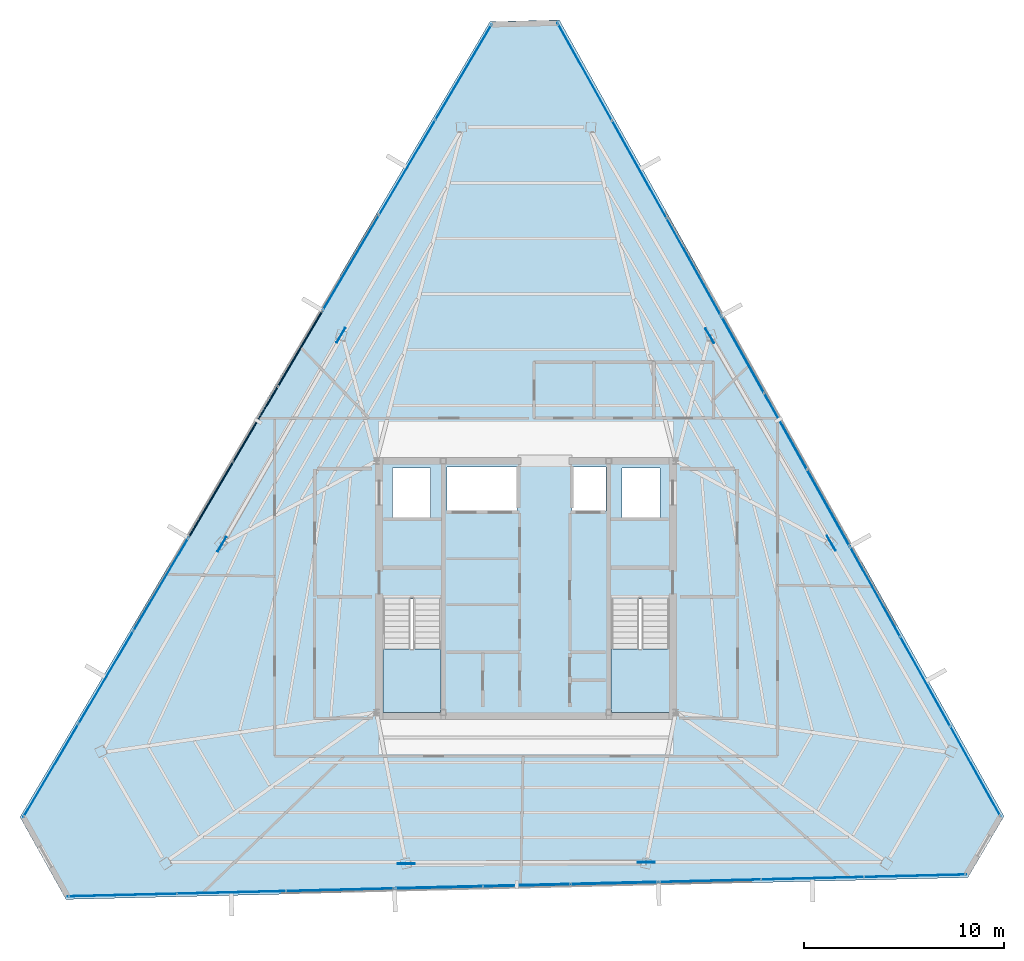
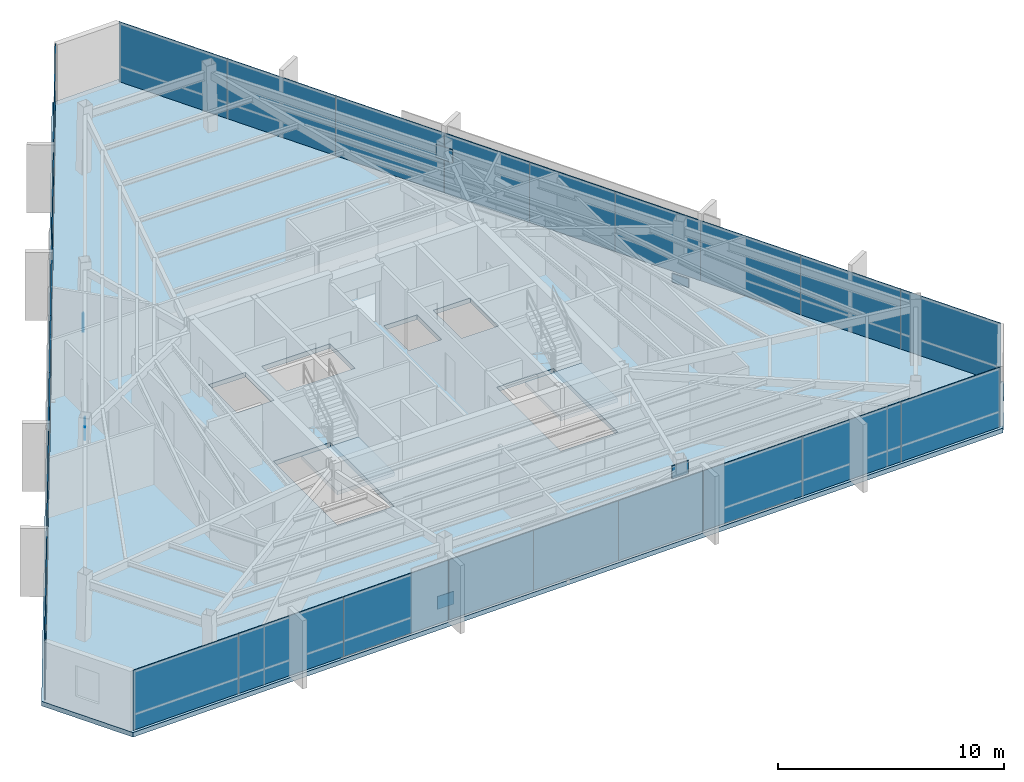
# One storey, part 38 of 44: 33 plates, 3 slabs, 11 elements without a shape of their own.
"""IFC4 building model written with IfcOpenShell, lengths in metres."""

from ifc_helpers import new_model, si_unit, direction, frame, origin, origin_2d, place, context, subcontext, project, spatial, polyline, rectangle, outline, extrude, source, transform, mapped, material, layer, layer_set, type_object, type_shapes, element, aggregate, save


model = new_model("IFC4")

# Units and contexts
model_context = context("Model", 3, precision=1e-05, world=origin(), true_north=direction((0.0, 1.0)))
body_context = subcontext(model_context, "Body", "Model", "MODEL_VIEW")
ifc_project = project(units=[si_unit("LENGTHUNIT", "METRE"), si_unit("AREAUNIT", "SQUARE_METRE"), si_unit("VOLUMEUNIT", "CUBIC_METRE"), si_unit("PLANEANGLEUNIT", "RADIAN"), si_unit("MASSUNIT", "GRAM", prefix="KILO")], contexts=[model_context])

# Site, building, storey
site_placement = place(None, origin())
site = spatial("IfcSite", under=ifc_project, at=site_placement, CompositionType="ELEMENT")
building_placement = place(site_placement, origin())
building = spatial("IfcBuilding", under=site, at=building_placement, Name="Caelisora Broadcast Tower", CompositionType="ELEMENT")
storey_placement = place(building_placement, frame((0.0, 0.0, 280.949951171875)))
storey = spatial("IfcBuildingStorey", under=building, at=storey_placement, Name="L74", CompositionType="ELEMENT", Elevation=280.949951171875)

# Slab
ifc_material_1 = material(Name="Concrete 40 MPa (AS 3600 N40)", Category="concrete")
ifc_layer_1 = layer(ifc_material_1, 0.25, Name="Concrete 40 MPa (AS 3600 N40)")
ifc_layer_set_1 = layer_set([ifc_layer_1], Name="Concrete 40 MPa (AS 3600 N40)")
slab_type_1 = type_object("IfcSlabType", Name="SL04", PredefinedType="FLOOR", material=ifc_layer_set_1)
slab_1_placement = place(storey_placement, frame((0.0, 0.0, -0.25)))
element("IfcSlab", 1, at=slab_1_placement, inside=storey, type_object=slab_type_1, Name="L74 suspended floor SL04", PredefinedType="FLOOR", context=body_context, shape_type="SweptSolid", body=[
    extrude(outline(polyline([(39.6650390625, 52.095947265625), (36.18896484375, 52.010986328125), (12.64208984375, 12.156005859375), (14.947021484375, 8.029052734375), (60.137939453125, 9.126953125), (61.948974609375, 12.193115234375), (39.6650390625, 52.095947265625)]), holes=[polyline([(30.820068359375, 17.39990234375), (33.739990234375, 17.39990234375), (33.739990234375, 23.080078125), (30.820068359375, 23.080078125), (30.820068359375, 17.39990234375)]), polyline([(42.260009765625, 17.39990234375), (45.179931640625, 17.39990234375), (45.179931640625, 23.080078125), (42.260009765625, 23.080078125), (42.260009765625, 17.39990234375)]), polyline([(42.800048828125, 27.14990234375), (44.699951171875, 27.14990234375), (44.699951171875, 29.64990234375), (42.800048828125, 29.64990234375), (42.800048828125, 27.14990234375)]), polyline([(40.300048828125, 27.5), (42.0, 27.5), (42.0, 29.699951171875), (40.300048828125, 29.699951171875), (40.300048828125, 27.5)]), polyline([(34.050048828125, 27.5), (37.550048828125, 27.5), (37.550048828125, 29.699951171875), (34.050048828125, 29.699951171875), (34.050048828125, 27.5)]), polyline([(31.300048828125, 27.14990234375), (33.199951171875, 27.14990234375), (33.199951171875, 29.64990234375), (31.300048828125, 29.64990234375), (31.300048828125, 27.14990234375)])]), origin(), (0.0, 0.0, 1.0), 0.25),
])

# Stair, slab
stair_type_1 = type_object("IfcStairType", Name="ST-1", PredefinedType="HALF_TURN_STAIR", material=ifc_material_1)
stair_1_placement = place(storey_placement, origin())
stair_1 = element("IfcStair", 2, at=stair_1_placement, inside=storey, type_object=stair_type_1, Name="L74 West Fire-Isolated Tower Stair", PredefinedType="HALF_TURN_STAIR")
ifc_layer_2 = layer(ifc_material_1, 0.199951171875, Name="Concrete 40 MPa (AS 3600 N40)")
ifc_layer_set_2 = layer_set([ifc_layer_2], Name="Concrete 40 MPa (AS 3600 N40)")
slab_type_2 = type_object("IfcSlabType", Name="STL-1", PredefinedType="LANDING", material=ifc_layer_set_2)
slab_2_placement = place(storey_placement, frame((0.0, 0.0, 1.625)))
slab_2 = element("IfcSlab", 3, at=slab_2_placement, type_object=slab_type_2, Name="ST-1 landing 1", PredefinedType="LANDING", context=body_context, shape_type="SweptSolid", body=[
    extrude(outline(polyline([(30.820068359375, 20.580078125), (30.820068359375, 17.39990234375), (33.739990234375, 17.39990234375), (33.739990234375, 20.580078125), (30.820068359375, 20.580078125)])), origin(), (0.0, 0.0, 1.0), 0.199951171875),
])
aggregate(stair_1, [slab_2])

stair_type_2 = type_object("IfcStairType", Name="ST-2", PredefinedType="HALF_TURN_STAIR", material=ifc_material_1)
stair_2_placement = place(storey_placement, origin())
stair_2 = element("IfcStair", 4, at=stair_2_placement, inside=storey, type_object=stair_type_2, Name="L74 East Fire-Isolated Tower Stair", PredefinedType="HALF_TURN_STAIR")
slab_3_placement = place(storey_placement, frame((0.0, 0.0, 1.625)))
slab_3 = element("IfcSlab", 5, at=slab_3_placement, type_object=slab_type_2, Name="ST-2 landing 1", PredefinedType="LANDING", context=body_context, shape_type="SweptSolid", body=[
    extrude(outline(polyline([(42.260009765625, 20.580078125), (42.260009765625, 17.39990234375), (45.179931640625, 17.39990234375), (45.179931640625, 20.580078125), (42.260009765625, 20.580078125)])), origin(), (0.0, 0.0, 1.0), 0.199951171875),
])
aggregate(stair_2, [slab_3])

# Plates
ifc_material_2 = material(Name="Steel Grade 350 L15 (AS/NZS 3678)", Category="steel")
ifc_layer_3 = layer(ifc_material_2, 0.0400390625, Name="Steel Grade 350 L15 (AS/NZS 3678)")
ifc_layer_set_3 = layer_set([ifc_layer_3], Name="Steel Grade 350 L15 (AS/NZS 3678)")
plate_type_1 = type_object("IfcPlateType", Name="GP04", PredefinedType="USERDEFINED", material=ifc_layer_set_3)
shared_shape_1 = source(origin(), body_context, "Body", "SweptSolid", [
    extrude(rectangle(XDim=0.85009765625, YDim=0.0400390625, at=origin_2d()), origin(), (0.0, 0.0, 1.0), 0.699951171875),
])
type_shapes(plate_type_1, [shared_shape_1])
for number, where, z_axis, x_axis, name in (
    (6, (28.7255859375, 36.2998046875, -0.22998046875), (0.0, 0.0, 1.0), (-0.5, -0.866025403784, 0.0), "L74 gusset plate GP04 (ND-L74-C02B)"),
    (7, (22.76513671875, 25.83154296875, 2.580078125), (0.0, 0.0, 1.0), (-0.5, -0.866025403784, 0.0), "L74 gusset plate GP04 (ND-L74-C03T)"),
    (8, (31.985107421875, 9.818115234375, -0.22998046875), (0.0, 0.0, 1.0), (1.0, 0.0, 0.0), "L74 gusset plate GP04 (ND-L74-C06B)"),
    (9, (44.03125, 9.890380859375, 2.580078125), (0.0, 0.0, 1.0), (1.0, 0.0, 0.0), "L74 gusset plate GP04 (ND-L74-C07T)"),
    (10, (53.289306640625, 25.8818359375, -0.22998046875), (0.0, 0.0, 1.0), (-0.5, 0.866025403784, 0.0), "L74 gusset plate GP04 (ND-L74-C10B)"),
    (11, (47.20361328125, 36.27783203125, 2.580078125), (0.0, 0.0, 1.0), (-0.5, 0.866025403784, 0.0), "L74 gusset plate GP04 (ND-L74-C11T)"),
):
    element("IfcPlate", number, at=place(storey_placement, frame(where, z_axis=z_axis, x_axis=x_axis)), inside=storey, type_object=plate_type_1, Name=name, ObjectType="GUSSET PLATE", PredefinedType="USERDEFINED", context=body_context, shape_type="MappedRepresentation", body=[
        mapped(shared_shape_1, transform((0.0, 0.0, 0.0), scale=1.0)),
    ])

# Curtain wall, plates
ifc_material_3 = material(Name="Unitised Aluminium and Low-E Glass Curtain Wall", Category="glass")
curtain_wall_type_1 = type_object("IfcCurtainWallType", Name="CW-Z5", PredefinedType="NOTDEFINED", material=ifc_material_3)
curtain_wall_1_placement = place(storey_placement, origin())
curtain_wall_1 = element("IfcCurtainWall", 12, at=curtain_wall_1_placement, inside=storey, type_object=curtain_wall_type_1, Name="L74 curtain wall CW-Z5", PredefinedType="NOTDEFINED")
ifc_material_4 = material(Name="Double Glazed Low-E Argon IGU", Category="glass")
ifc_layer_4 = layer(ifc_material_4, 0.028076171875, Name="Double Glazed Low-E Argon IGU")
ifc_layer_set_4 = layer_set([ifc_layer_4], Name="Double Glazed Low-E Argon IGU")
plate_type_2 = type_object("IfcPlateType", Name="CWP-06", PredefinedType="CURTAIN_PANEL", material=ifc_layer_set_4)
shared_shape_2 = source(origin(), body_context, "Body", "SweptSolid", [
    extrude(rectangle(XDim=5.60205078125, YDim=0.028076171875, at=origin_2d()), origin(), (0.0, 0.0, 1.0), 3.25),
])
plate_1_placement = place(storey_placement, frame((40.943603515625, 49.49853515625, 0.0), z_axis=(0.0, 0.0, 1.0), x_axis=(0.487554922136, -0.873092319232, 0.0)))
plate_1 = element("IfcPlate", 13, at=plate_1_placement, type_object=plate_type_2, Name="L74-CW-B01 glazed panel #1", PredefinedType="CURTAIN_PANEL", context=body_context, shape_type="MappedRepresentation", body=[
    mapped(shared_shape_2, transform((0.0, 0.0, 0.0), scale=1.0)),
])
plate_2_placement = place(storey_placement, frame((43.675048828125, 44.607421875, 0.0), z_axis=(0.0, 0.0, 1.0), x_axis=(0.487554922136, -0.873092319232, 0.0)))
plate_2 = element("IfcPlate", 14, at=plate_2_placement, type_object=plate_type_2, Name="L74-CW-B01 glazed panel #2", PredefinedType="CURTAIN_PANEL", context=body_context, shape_type="MappedRepresentation", body=[
    mapped(shared_shape_2, transform((0.0, 0.0, 0.0), scale=1.0)),
])
plate_3_placement = place(storey_placement, frame((46.406494140625, 39.71630859375, 0.0), z_axis=(0.0, 0.0, 1.0), x_axis=(0.487554922136, -0.873092319232, 0.0)))
plate_3 = element("IfcPlate", 15, at=plate_3_placement, type_object=plate_type_2, Name="L74-CW-B01 glazed panel #3", PredefinedType="CURTAIN_PANEL", context=body_context, shape_type="MappedRepresentation", body=[
    mapped(shared_shape_2, transform((0.0, 0.0, 0.0), scale=1.0)),
])
aggregate(curtain_wall_1, [plate_1, plate_2, plate_3])

ifc_material_5 = material(Name="Unitised Aluminium Insulated Shadow-Box Spandrel Curtain Wall", Category="aluminium")
curtain_wall_type_2 = type_object("IfcCurtainWallType", Name="CW-SP3", PredefinedType="NOTDEFINED", material=ifc_material_5)
curtain_wall_2_placement = place(storey_placement, origin())
curtain_wall_2 = element("IfcCurtainWall", 16, at=curtain_wall_2_placement, inside=storey, type_object=curtain_wall_type_2, Name="L74 curtain wall CW-SP3", PredefinedType="NOTDEFINED")
ifc_material_6 = material(Name="Insulated Terracotta Shadow-Box Spandrel Panel", Category="aluminium")
ifc_layer_5 = layer(ifc_material_6, 0.0439453125, Name="Insulated Terracotta Shadow-Box Spandrel Panel")
ifc_layer_set_5 = layer_set([ifc_layer_5], Name="Insulated Terracotta Shadow-Box Spandrel Panel")
plate_type_3 = type_object("IfcPlateType", Name="CWP-10", PredefinedType="CURTAIN_PANEL", material=ifc_layer_set_5)
shared_shape_3 = source(origin(), body_context, "Body", "SweptSolid", [
    extrude(rectangle(XDim=4.406005859375, YDim=0.0439453125, at=origin_2d()), origin(), (0.0, 0.0, 1.0), 3.25),
])
plate_4_placement = place(storey_placement, frame((48.851318359375, 35.338623046875, 0.0), z_axis=(0.0, 0.0, 1.0), x_axis=(0.487554922136, -0.873092319232, 0.0)))
plate_4 = element("IfcPlate", 17, at=plate_4_placement, type_object=plate_type_3, Name="L74-CW-B02 spandrel panel #1", PredefinedType="CURTAIN_PANEL", context=body_context, shape_type="MappedRepresentation", body=[
    mapped(shared_shape_3, transform((0.0, 0.0, 0.0), scale=1.0)),
])
plate_5_placement = place(storey_placement, frame((50.99951171875, 31.49169921875, 0.0), z_axis=(0.0, 0.0, 1.0), x_axis=(0.487554922136, -0.873092319232, 0.0)))
plate_5 = element("IfcPlate", 18, at=plate_5_placement, type_object=plate_type_3, Name="L74-CW-B02 spandrel panel #2", PredefinedType="CURTAIN_PANEL", context=body_context, shape_type="MappedRepresentation", body=[
    mapped(shared_shape_3, transform((0.0, 0.0, 0.0), scale=1.0)),
])
plate_6_placement = place(storey_placement, frame((53.14794921875, 27.64501953125, 0.0), z_axis=(0.0, 0.0, 1.0), x_axis=(0.487554922136, -0.873092319232, 0.0)))
plate_6 = element("IfcPlate", 19, at=plate_6_placement, type_object=plate_type_3, Name="L74-CW-B02 spandrel panel #3", PredefinedType="CURTAIN_PANEL", context=body_context, shape_type="MappedRepresentation", body=[
    mapped(shared_shape_3, transform((0.0, 0.0, 0.0), scale=1.0)),
])
aggregate(curtain_wall_2, [plate_4, plate_5, plate_6])

curtain_wall_3_placement = place(storey_placement, origin())
curtain_wall_3 = element("IfcCurtainWall", 20, at=curtain_wall_3_placement, inside=storey, type_object=curtain_wall_type_1, Name="L74 curtain wall CW-Z5", PredefinedType="NOTDEFINED")
shared_shape_4 = source(origin(), body_context, "Body", "SweptSolid", [
    extrude(rectangle(XDim=5.160888671875, YDim=0.028076171875, at=origin_2d()), origin(), (0.0, 0.0, 1.0), 3.25),
])
plate_7_placement = place(storey_placement, frame((55.485107421875, 23.459716796875, 0.0), z_axis=(0.0, 0.0, 1.0), x_axis=(0.487554922136, -0.873092319232, 0.0)))
plate_7 = element("IfcPlate", 21, at=plate_7_placement, type_object=plate_type_2, Name="L74-CW-B03 glazed panel #1", PredefinedType="CURTAIN_PANEL", context=body_context, shape_type="MappedRepresentation", body=[
    mapped(shared_shape_4, transform((0.0, 0.0, 0.0), scale=1.0)),
])
plate_8_placement = place(storey_placement, frame((58.00146484375, 18.953857421875, 0.0), z_axis=(0.0, 0.0, 1.0), x_axis=(0.487554922136, -0.873092319232, 0.0)))
plate_8 = element("IfcPlate", 22, at=plate_8_placement, type_object=plate_type_2, Name="L74-CW-B03 glazed panel #2", PredefinedType="CURTAIN_PANEL", context=body_context, shape_type="MappedRepresentation", body=[
    mapped(shared_shape_4, transform((0.0, 0.0, 0.0), scale=1.0)),
])
plate_9_placement = place(storey_placement, frame((60.517822265625, 14.447998046875, 0.0), z_axis=(0.0, 0.0, 1.0), x_axis=(0.487554922136, -0.873092319232, 0.0)))
plate_9 = element("IfcPlate", 23, at=plate_9_placement, type_object=plate_type_2, Name="L74-CW-B03 glazed panel #3", PredefinedType="CURTAIN_PANEL", context=body_context, shape_type="MappedRepresentation", body=[
    mapped(shared_shape_4, transform((0.0, 0.0, 0.0), scale=1.0)),
])
aggregate(curtain_wall_3, [plate_7, plate_8, plate_9])

curtain_wall_4_placement = place(storey_placement, origin())
curtain_wall_4 = element("IfcCurtainWall", 24, at=curtain_wall_4_placement, inside=storey, type_object=curtain_wall_type_1, Name="L74 curtain wall CW-Z5", PredefinedType="NOTDEFINED")
shared_shape_5 = source(origin(), body_context, "Body", "SweptSolid", [
    extrude(rectangle(XDim=5.1376953125, YDim=0.028076171875, at=origin_2d()), origin(), (0.0, 0.0, 1.0), 3.25),
])
plate_10_placement = place(storey_placement, frame((57.48291015625, 9.212646484375, 0.0), z_axis=(0.0, 0.0, 1.0), x_axis=(-0.999705738774, -0.024257696956, 0.0)))
plate_10 = element("IfcPlate", 25, at=plate_10_placement, type_object=plate_type_2, Name="L74-CW-B05 glazed panel #1", PredefinedType="CURTAIN_PANEL", context=body_context, shape_type="MappedRepresentation", body=[
    mapped(shared_shape_5, transform((0.0, 0.0, 0.0), scale=1.0)),
])
plate_11_placement = place(storey_placement, frame((52.3466796875, 9.087890625, 0.0), z_axis=(0.0, 0.0, 1.0), x_axis=(-0.999705738774, -0.024257696956, 0.0)))
plate_11 = element("IfcPlate", 26, at=plate_11_placement, type_object=plate_type_2, Name="L74-CW-B05 glazed panel #2", PredefinedType="CURTAIN_PANEL", context=body_context, shape_type="MappedRepresentation", body=[
    mapped(shared_shape_5, transform((0.0, 0.0, 0.0), scale=1.0)),
])
plate_12_placement = place(storey_placement, frame((47.21044921875, 8.962890625, 0.0), z_axis=(0.0, 0.0, 1.0), x_axis=(-0.999705738774, -0.024257696956, 0.0)))
plate_12 = element("IfcPlate", 27, at=plate_12_placement, type_object=plate_type_2, Name="L74-CW-B05 glazed panel #3", PredefinedType="CURTAIN_PANEL", context=body_context, shape_type="MappedRepresentation", body=[
    mapped(shared_shape_5, transform((0.0, 0.0, 0.0), scale=1.0)),
])
aggregate(curtain_wall_4, [plate_10, plate_11, plate_12])

curtain_wall_5_placement = place(storey_placement, origin())
curtain_wall_5 = element("IfcCurtainWall", 28, at=curtain_wall_5_placement, inside=storey, type_object=curtain_wall_type_2, Name="L74 curtain wall CW-SP3", PredefinedType="NOTDEFINED")
shared_shape_6 = source(origin(), body_context, "Body", "SweptSolid", [
    extrude(rectangle(XDim=4.4052734375, YDim=0.0439453125, at=origin_2d()), origin(), (0.0, 0.0, 1.0), 3.25),
])
plate_13_placement = place(storey_placement, frame((42.430419921875, 8.8466796875, 0.0), z_axis=(0.0, 0.0, 1.0), x_axis=(-0.999705738774, -0.024257696956, 0.0)))
plate_13 = element("IfcPlate", 29, at=plate_13_placement, type_object=plate_type_3, Name="L74-CW-B06 spandrel panel #1", PredefinedType="CURTAIN_PANEL", context=body_context, shape_type="MappedRepresentation", body=[
    mapped(shared_shape_6, transform((0.0, 0.0, 0.0), scale=1.0)),
])
plate_14_placement = place(storey_placement, frame((38.026123046875, 8.73974609375, 0.0), z_axis=(0.0, 0.0, 1.0), x_axis=(-0.999705738774, -0.024257696956, 0.0)))
plate_14 = element("IfcPlate", 30, at=plate_14_placement, type_object=plate_type_3, Name="L74-CW-B06 spandrel panel #2", PredefinedType="CURTAIN_PANEL", context=body_context, shape_type="MappedRepresentation", body=[
    mapped(shared_shape_6, transform((0.0, 0.0, 0.0), scale=1.0)),
])
plate_15_placement = place(storey_placement, frame((33.622314453125, 8.6328125, 0.0), z_axis=(0.0, 0.0, 1.0), x_axis=(-0.999705738774, -0.024257696956, 0.0)))
plate_15 = element("IfcPlate", 31, at=plate_15_placement, type_object=plate_type_3, Name="L74-CW-B06 spandrel panel #3", PredefinedType="CURTAIN_PANEL", context=body_context, shape_type="MappedRepresentation", body=[
    mapped(shared_shape_6, transform((0.0, 0.0, 0.0), scale=1.0)),
])
aggregate(curtain_wall_5, [plate_13, plate_14, plate_15])

curtain_wall_6_placement = place(storey_placement, origin())
curtain_wall_6 = element("IfcCurtainWall", 32, at=curtain_wall_6_placement, inside=storey, type_object=curtain_wall_type_1, Name="L74 curtain wall CW-Z5", PredefinedType="NOTDEFINED")
shared_shape_7 = source(origin(), body_context, "Body", "SweptSolid", [
    extrude(rectangle(XDim=5.460205078125, YDim=0.028076171875, at=origin_2d()), origin(), (0.0, 0.0, 1.0), 3.25),
])
plate_16_placement = place(storey_placement, frame((28.680908203125, 8.5126953125, 0.0), z_axis=(0.0, 0.0, 1.0), x_axis=(-0.999705738774, -0.024257696956, 0.0)))
plate_16 = element("IfcPlate", 33, at=plate_16_placement, type_object=plate_type_2, Name="L74-CW-B07 glazed panel #1", PredefinedType="CURTAIN_PANEL", context=body_context, shape_type="MappedRepresentation", body=[
    mapped(shared_shape_7, transform((0.0, 0.0, 0.0), scale=1.0)),
])
plate_17_placement = place(storey_placement, frame((23.22216796875, 8.3798828125, 0.0), z_axis=(0.0, 0.0, 1.0), x_axis=(-0.999705738774, -0.024257696956, 0.0)))
plate_17 = element("IfcPlate", 34, at=plate_17_placement, type_object=plate_type_2, Name="L74-CW-B07 glazed panel #2", PredefinedType="CURTAIN_PANEL", context=body_context, shape_type="MappedRepresentation", body=[
    mapped(shared_shape_7, transform((0.0, 0.0, 0.0), scale=1.0)),
])
plate_18_placement = place(storey_placement, frame((17.763427734375, 8.247314453125, 0.0), z_axis=(0.0, 0.0, 1.0), x_axis=(-0.999705738774, -0.024257696956, 0.0)))
plate_18 = element("IfcPlate", 35, at=plate_18_placement, type_object=plate_type_2, Name="L74-CW-B07 glazed panel #3", PredefinedType="CURTAIN_PANEL", context=body_context, shape_type="MappedRepresentation", body=[
    mapped(shared_shape_7, transform((0.0, 0.0, 0.0), scale=1.0)),
])
aggregate(curtain_wall_6, [plate_16, plate_17, plate_18])

curtain_wall_7_placement = place(storey_placement, origin())
curtain_wall_7 = element("IfcCurtainWall", 36, at=curtain_wall_7_placement, inside=storey, type_object=curtain_wall_type_1, Name="L74 curtain wall CW-Z5", PredefinedType="NOTDEFINED")
shared_shape_8 = source(origin(), body_context, "Body", "SweptSolid", [
    extrude(rectangle(XDim=5.416015625, YDim=0.028076171875, at=origin_2d()), origin(), (0.0, 0.0, 1.0), 3.25),
])
plate_19_placement = place(storey_placement, frame((14.1923828125, 14.485595703125, 0.0), z_axis=(0.0, 0.0, 1.0), x_axis=(0.508740929096, 0.860919663536, 0.0)))
plate_19 = element("IfcPlate", 37, at=plate_19_placement, type_object=plate_type_2, Name="L74-CW-B09 glazed panel #1", PredefinedType="CURTAIN_PANEL", context=body_context, shape_type="MappedRepresentation", body=[
    mapped(shared_shape_8, transform((0.0, 0.0, 0.0), scale=1.0)),
])
plate_20_placement = place(storey_placement, frame((16.947509765625, 19.1484375, 0.0), z_axis=(0.0, 0.0, 1.0), x_axis=(0.508740929096, 0.860919663536, 0.0)))
plate_20 = element("IfcPlate", 38, at=plate_20_placement, type_object=plate_type_2, Name="L74-CW-B09 glazed panel #2", PredefinedType="CURTAIN_PANEL", context=body_context, shape_type="MappedRepresentation", body=[
    mapped(shared_shape_8, transform((0.0, 0.0, 0.0), scale=1.0)),
])
plate_21_placement = place(storey_placement, frame((19.702392578125, 23.811279296875, 0.0), z_axis=(0.0, 0.0, 1.0), x_axis=(0.508740929096, 0.860919663536, 0.0)))
plate_21 = element("IfcPlate", 39, at=plate_21_placement, type_object=plate_type_2, Name="L74-CW-B09 glazed panel #3", PredefinedType="CURTAIN_PANEL", context=body_context, shape_type="MappedRepresentation", body=[
    mapped(shared_shape_8, transform((0.0, 0.0, 0.0), scale=1.0)),
])
aggregate(curtain_wall_7, [plate_19, plate_20, plate_21])

curtain_wall_8_placement = place(storey_placement, origin())
curtain_wall_8 = element("IfcCurtainWall", 40, at=curtain_wall_8_placement, inside=storey, type_object=curtain_wall_type_2, Name="L74 curtain wall CW-SP3", PredefinedType="NOTDEFINED")
shared_shape_9 = source(origin(), body_context, "Body", "SweptSolid", [
    extrude(rectangle(XDim=4.40625, YDim=0.0439453125, at=origin_2d()), origin(), (0.0, 0.0, 1.0), 3.25),
])
type_shapes(plate_type_3, [shared_shape_3, shared_shape_6, shared_shape_9])
plate_22_placement = place(storey_placement, frame((22.205810546875, 28.048095703125, 0.0), z_axis=(0.0, 0.0, 1.0), x_axis=(0.508740929096, 0.860919663536, 0.0)))
plate_22 = element("IfcPlate", 41, at=plate_22_placement, type_object=plate_type_3, Name="L74-CW-B10 spandrel panel #1", PredefinedType="CURTAIN_PANEL", context=body_context, shape_type="MappedRepresentation", body=[
    mapped(shared_shape_9, transform((0.0, 0.0, 0.0), scale=1.0)),
])
plate_23_placement = place(storey_placement, frame((24.447021484375, 31.841796875, 0.0), z_axis=(0.0, 0.0, 1.0), x_axis=(0.508740929096, 0.860919663536, 0.0)))
plate_23 = element("IfcPlate", 42, at=plate_23_placement, type_object=plate_type_3, Name="L74-CW-B10 spandrel panel #2", PredefinedType="CURTAIN_PANEL", context=body_context, shape_type="MappedRepresentation", body=[
    mapped(shared_shape_9, transform((0.0, 0.0, 0.0), scale=1.0)),
])
plate_24_placement = place(storey_placement, frame((26.6884765625, 35.635498046875, 0.0), z_axis=(0.0, 0.0, 1.0), x_axis=(0.508740929096, 0.860919663536, 0.0)))
plate_24 = element("IfcPlate", 43, at=plate_24_placement, type_object=plate_type_3, Name="L74-CW-B10 spandrel panel #3", PredefinedType="CURTAIN_PANEL", context=body_context, shape_type="MappedRepresentation", body=[
    mapped(shared_shape_9, transform((0.0, 0.0, 0.0), scale=1.0)),
])
aggregate(curtain_wall_8, [plate_22, plate_23, plate_24])

curtain_wall_9_placement = place(storey_placement, origin())
curtain_wall_9 = element("IfcCurtainWall", 44, at=curtain_wall_9_placement, inside=storey, type_object=curtain_wall_type_1, Name="L74 curtain wall CW-Z5", PredefinedType="NOTDEFINED")
shared_shape_10 = source(origin(), body_context, "Body", "SweptSolid", [
    extrude(rectangle(XDim=5.544921875, YDim=0.028076171875, at=origin_2d()), origin(), (0.0, 0.0, 1.0), 3.25),
])
type_shapes(plate_type_2, [shared_shape_2, shared_shape_4, shared_shape_5, shared_shape_7, shared_shape_8, shared_shape_10])
plate_25_placement = place(storey_placement, frame((29.224609375, 39.927978515625, 0.0), z_axis=(0.0, 0.0, 1.0), x_axis=(0.508740929096, 0.860919663536, 0.0)))
plate_25 = element("IfcPlate", 45, at=plate_25_placement, type_object=plate_type_2, Name="L74-CW-B11 glazed panel #1", PredefinedType="CURTAIN_PANEL", context=body_context, shape_type="MappedRepresentation", body=[
    mapped(shared_shape_10, transform((0.0, 0.0, 0.0), scale=1.0)),
])
plate_26_placement = place(storey_placement, frame((32.045166015625, 44.701904296875, 0.0), z_axis=(0.0, 0.0, 1.0), x_axis=(0.508740929096, 0.860919663536, 0.0)))
plate_26 = element("IfcPlate", 46, at=plate_26_placement, type_object=plate_type_2, Name="L74-CW-B11 glazed panel #2", PredefinedType="CURTAIN_PANEL", context=body_context, shape_type="MappedRepresentation", body=[
    mapped(shared_shape_10, transform((0.0, 0.0, 0.0), scale=1.0)),
])
plate_27_placement = place(storey_placement, frame((34.86572265625, 49.47607421875, 0.0), z_axis=(0.0, 0.0, 1.0), x_axis=(0.508740929096, 0.860919663536, 0.0)))
plate_27 = element("IfcPlate", 47, at=plate_27_placement, type_object=plate_type_2, Name="L74-CW-B11 glazed panel #3", PredefinedType="CURTAIN_PANEL", context=body_context, shape_type="MappedRepresentation", body=[
    mapped(shared_shape_10, transform((0.0, 0.0, 0.0), scale=1.0)),
])
aggregate(curtain_wall_9, [plate_25, plate_26, plate_27])

save(model, "model.ifc")
